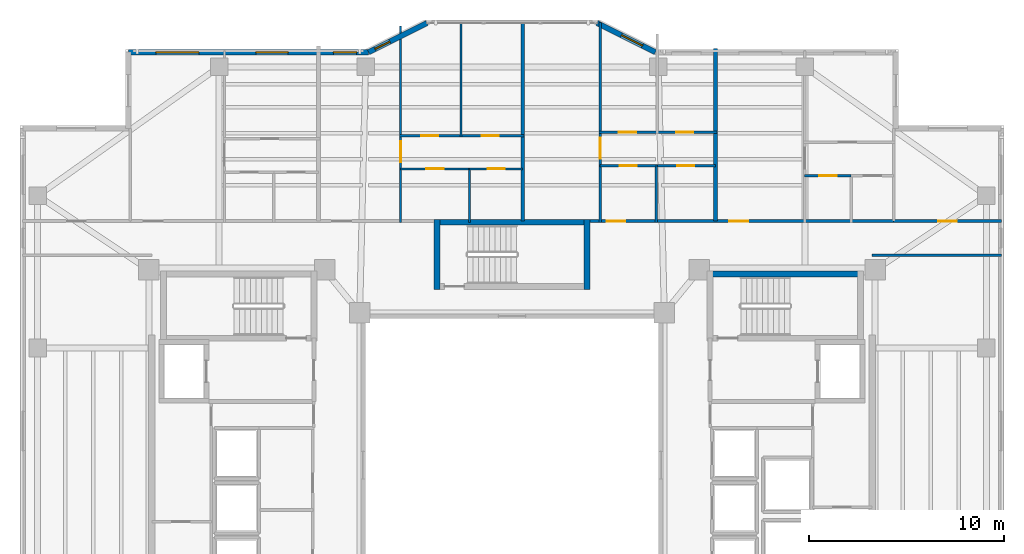
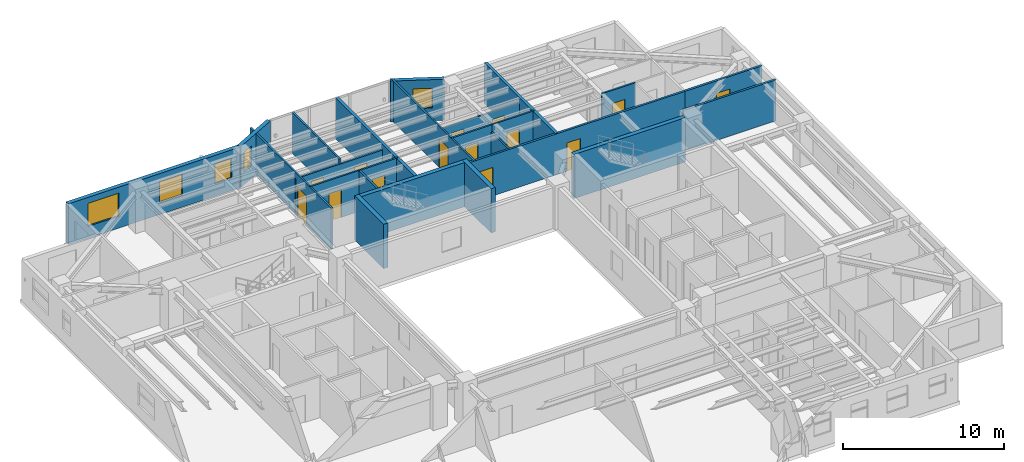
# One storey, part 10 of 16: 24 walls, 14 doors, 5 windows, 19 openings.
"""IFC4 building model written with IfcOpenShell, lengths in metres."""

from ifc_helpers import new_model, si_unit, direction, frame, frame_2d, origin, place, context, subcontext, project, spatial, rectangle, extrude, material, layer, layer_set, type_object, element, fill, save


model = new_model("IFC4")

# Units and contexts
model_context = context("Model", 3, precision=1e-05, world=origin(), true_north=direction((0.0, 1.0)))
body_context = subcontext(model_context, "Body", "Model", "MODEL_VIEW")
ifc_project = project(units=[si_unit("LENGTHUNIT", "METRE"), si_unit("AREAUNIT", "SQUARE_METRE"), si_unit("VOLUMEUNIT", "CUBIC_METRE"), si_unit("PLANEANGLEUNIT", "RADIAN"), si_unit("MASSUNIT", "GRAM", prefix="KILO")], contexts=[model_context])

# Site, building, storey
site_placement = place(None, origin())
site = spatial("IfcSite", under=ifc_project, at=site_placement, CompositionType="ELEMENT")
building_placement = place(site_placement, origin())
building = spatial("IfcBuilding", under=site, at=building_placement, Name="Tarnavaz Court Tower", CompositionType="ELEMENT")
storey_placement = place(building_placement, frame((0.0, 0.0, 152.699951171875)))
storey = spatial("IfcBuildingStorey", under=building, at=storey_placement, Name="L41", CompositionType="ELEMENT", Elevation=152.699951171875)

# Walls
ifc_material_1 = material(Name="Concrete C50/60", Category="concrete")
ifc_layer_1 = layer(ifc_material_1, 0.300048828125)
ifc_layer_set_1 = layer_set([ifc_layer_1], Name="Concrete C50/60")
wall_type_1 = type_object("IfcWallType", Name="WL-CORE-300-C50", PredefinedType="SHEAR", material=ifc_layer_set_1)
for number, where, z_axis, x_axis, name in (
    (1, (10.0, 9.7900390625, 0.0), (0.0, 0.0, 1.0), (1.0, 0.0, 0.0), "L41 East Stair Core Wall 005"),
    (2, (-4.0, 12.43994140625, 0.0), (0.0, 0.0, 1.0), (1.0, 0.0, 0.0), "L41 North Stair Core Wall 009"),
):
    element("IfcWall", number, at=place(storey_placement, frame(where, z_axis=z_axis, x_axis=x_axis)), inside=storey, type_object=wall_type_1, Name=name, PredefinedType="SHEAR", context=body_context, shape_type="SweptSolid", body=[
        extrude(rectangle(XDim=8.0, YDim=0.300048828125, at=frame_2d((4.0, 0.0))), origin(), (0.0, 0.0, 1.0), 3.35009765625),
    ])
for number, where, z_axis, x_axis, name in (
    (3, (-3.85009765625, 9.0, 0.0), (0.0, 0.0, 1.0), (0.0, 1.0, 0.0), "L41 North Stair Core Wall 011"),
    (4, (3.85009765625, 9.0, 0.0), (0.0, 0.0, 1.0), (0.0, 1.0, 0.0), "L41 North Stair Core Wall 012"),
):
    element("IfcWall", number, at=place(storey_placement, frame(where, z_axis=z_axis, x_axis=x_axis)), inside=storey, type_object=wall_type_1, Name=name, PredefinedType="SHEAR", context=body_context, shape_type="SweptSolid", body=[
        extrude(rectangle(XDim=3.590087890625, YDim=0.300048828125, at=frame_2d((1.794921875, 0.0))), origin(), (0.0, 0.0, 1.0), 3.35009765625),
    ])

# Wall, openings, windows
ifc_material_2 = material(Name="Precast Concrete C40/50", Category="concrete")
ifc_layer_2 = layer(ifc_material_2, 0.280029296875)
ifc_layer_set_2 = layer_set([ifc_layer_2], Name="Precast Concrete C40/50")
wall_type_2 = type_object("IfcWallType", Name="WL-EXT-280", PredefinedType="SOLIDWALL", material=ifc_layer_set_2)
wall_1_placement = place(storey_placement, frame((-19.64990234375, 21.14990234375, 0.0), z_axis=(0.0, 0.0, 1.0), x_axis=(1.0, 0.0, 0.0)))
wall_1 = element("IfcWall", 5, at=wall_1_placement, inside=storey, type_object=wall_type_2, Name="L41 Exterior Terracotta Facade Wall 05", PredefinedType="SOLIDWALL", context=body_context, shape_type="SweptSolid", body=[
    extrude(rectangle(XDim=12.2998046875, YDim=0.280029296875, at=frame_2d((6.14990234375, 0.0))), origin(), (0.0, 0.0, 1.0), 3.10009765625),
])
opening_1_placement = place(wall_1_placement, frame((1.41015625, 0.0, 0.89990234375)))
opening_1 = element("IfcOpeningElement", 6, at=opening_1_placement, cuts=wall_1, Name="Opening W07", PredefinedType="OPENING", context=body_context, shape_type="SweptSolid", body=[
    extrude(rectangle(XDim=2.199951171875, YDim=1.75, at=frame_2d((1.10009765625, 0.875))), frame((0.0, 0.14990234375, 0.0), z_axis=(0.0, -1.0, 0.0), x_axis=(1.0, 0.0, 0.0)), (0.0, 0.0, 1.0), 0.300048828125),
])
opening_2_placement = place(wall_1_placement, frame((6.52978515625, 0.0, 0.89990234375)))
opening_2 = element("IfcOpeningElement", 7, at=opening_2_placement, cuts=wall_1, Name="Opening W02", PredefinedType="OPENING", context=body_context, shape_type="SweptSolid", body=[
    extrude(rectangle(XDim=1.64990234375, YDim=1.60009765625, at=frame_2d((0.824951171875, 0.800048828125))), frame((0.0, 0.14990234375, 0.0), z_axis=(0.0, -1.0, 0.0), x_axis=(1.0, 0.0, 0.0)), (0.0, 0.0, 1.0), 0.300048828125),
])
opening_3_placement = place(wall_1_placement, frame((10.4951171875, 0.0, 0.949951171875)))
opening_3 = element("IfcOpeningElement", 8, at=opening_3_placement, cuts=wall_1, Name="Opening W05", PredefinedType="OPENING", context=body_context, shape_type="SweptSolid", body=[
    extrude(rectangle(XDim=1.199951171875, YDim=1.5, at=frame_2d((0.60009765625, 0.75))), frame((0.0, 0.14990234375, 0.0), z_axis=(0.0, -1.0, 0.0), x_axis=(1.0, 0.0, 0.0)), (0.0, 0.0, 1.0), 0.300048828125),
])
ifc_material_3 = material(Name="Double-Glazed Solar Low-E Glass", Category="glass")
window_type_1 = type_object("IfcWindowType", Name="WN-APT-1200", PartitioningType="SINGLE_PANEL", PredefinedType="WINDOW", material=ifc_material_3)
window_1_placement = place(opening_3_placement, origin())
window_1 = element("IfcWindow", 9, at=window_1_placement, inside=storey, type_object=window_type_1, Name="L41 Flat 02 Living and Dining Room Window", OverallHeight=1.5, OverallWidth=1.199951171875, PartitioningType="SINGLE_PANEL", PredefinedType="WINDOW", context=body_context, shape_type="SweptSolid", body=[
    extrude(rectangle(XDim=1.199951171875, YDim=1.5, at=frame_2d((0.60009765625, 0.75))), frame((0.0, 0.030029296875, 0.0), z_axis=(0.0, -1.0, 0.0), x_axis=(1.0, 0.0, 0.0)), (0.0, 0.0, 1.0), 0.06005859375),
])
fill(opening_3, window_1)
window_type_2 = type_object("IfcWindowType", Name="WN-APT-1650", PartitioningType="DOUBLE_PANEL_VERTICAL", PredefinedType="WINDOW", material=ifc_material_3)
window_2_placement = place(opening_2_placement, origin())
window_2 = element("IfcWindow", 10, at=window_2_placement, inside=storey, type_object=window_type_2, Name="L41 Flat 01 Bedroom 1 Window", OverallHeight=1.60009765625, OverallWidth=1.64990234375, PartitioningType="SINGLE_PANEL", PredefinedType="WINDOW", context=body_context, shape_type="SweptSolid", body=[
    extrude(rectangle(XDim=1.64990234375, YDim=1.60009765625, at=frame_2d((0.824951171875, 0.800048828125))), frame((0.0, 0.030029296875, 0.0), z_axis=(0.0, -1.0, 0.0), x_axis=(1.0, 0.0, 0.0)), (0.0, 0.0, 1.0), 0.06005859375),
])
fill(opening_2, window_2)
window_type_3 = type_object("IfcWindowType", Name="WN-APT-2200", PartitioningType="TRIPLE_PANEL_VERTICAL", PredefinedType="WINDOW", material=ifc_material_3)
window_3_placement = place(opening_1_placement, origin())
window_3 = element("IfcWindow", 11, at=window_3_placement, inside=storey, type_object=window_type_3, Name="L41 Flat 01 Living and Dining Room Window", OverallHeight=1.75, OverallWidth=2.199951171875, PartitioningType="SINGLE_PANEL", PredefinedType="WINDOW", context=body_context, shape_type="SweptSolid", body=[
    extrude(rectangle(XDim=2.199951171875, YDim=1.75, at=frame_2d((1.10009765625, 0.875))), frame((0.0, 0.030029296875, 0.0), z_axis=(0.0, -1.0, 0.0), x_axis=(1.0, 0.0, 0.0)), (0.0, 0.0, 1.0), 0.06005859375),
])
fill(opening_1, window_3)

# Wall, opening, window
wall_2_placement = place(storey_placement, frame((-7.35009765625, 21.14990234375, 0.0), z_axis=(0.0, 0.0, 1.0), x_axis=(0.894427191, 0.4472135955, 0.0)))
wall_2 = element("IfcWall", 12, at=wall_2_placement, inside=storey, type_object=wall_type_2, Name="L41 Exterior Terracotta Facade Wall 06", PredefinedType="SOLIDWALL", context=body_context, shape_type="SweptSolid", body=[
    extrude(rectangle(XDim=3.35400390625, YDim=0.280029296875, at=frame_2d((1.677001953125, 0.0))), origin(), (0.0, 0.0, 1.0), 3.10009765625),
])
opening_4_placement = place(wall_2_placement, frame((0.370849609375, 0.0, 0.949951171875)))
opening_4 = element("IfcOpeningElement", 13, at=opening_4_placement, cuts=wall_2, Name="Opening W15", PredefinedType="OPENING", context=body_context, shape_type="SweptSolid", body=[
    extrude(rectangle(XDim=0.85009765625, YDim=1.5, at=frame_2d((0.425048828125, 0.75))), frame((0.0, 0.14990234375, 0.0), z_axis=(0.0, -1.0, 0.0), x_axis=(1.0, 0.0, 0.0)), (0.0, 0.0, 1.0), 0.300048828125),
])
window_type_4 = type_object("IfcWindowType", Name="WN-APT-850", PartitioningType="SINGLE_PANEL", PredefinedType="WINDOW", material=ifc_material_3)
window_4_placement = place(opening_4_placement, origin())
window_4 = element("IfcWindow", 14, at=window_4_placement, inside=storey, type_object=window_type_4, Name="L41 Flat 02 Living and Dining Room Window", OverallHeight=1.5, OverallWidth=0.85009765625, PartitioningType="SINGLE_PANEL", PredefinedType="WINDOW", context=body_context, shape_type="SweptSolid", body=[
    extrude(rectangle(XDim=0.85009765625, YDim=1.5, at=frame_2d((0.425048828125, 0.75))), frame((0.0, 0.030029296875, 0.0), z_axis=(0.0, -1.0, 0.0), x_axis=(1.0, 0.0, 0.0)), (0.0, 0.0, 1.0), 0.06005859375),
])
fill(opening_4, window_4)

wall_3_placement = place(storey_placement, frame((4.35009765625, 22.64990234375, 0.0), z_axis=(0.0, 0.0, 1.0), x_axis=(0.894427191, -0.4472135955, 0.0)))
wall_3 = element("IfcWall", 15, at=wall_3_placement, inside=storey, type_object=wall_type_2, Name="L41 Exterior Terracotta Facade Wall 08", PredefinedType="SOLIDWALL", context=body_context, shape_type="SweptSolid", body=[
    extrude(rectangle(XDim=3.35400390625, YDim=0.280029296875, at=frame_2d((1.677001953125, 0.0))), origin(), (0.0, 0.0, 1.0), 3.10009765625),
])
opening_5_placement = place(wall_3_placement, frame((1.407470703125, 0.0, 0.949951171875)))
opening_5 = element("IfcOpeningElement", 16, at=opening_5_placement, cuts=wall_3, Name="Opening W05", PredefinedType="OPENING", context=body_context, shape_type="SweptSolid", body=[
    extrude(rectangle(XDim=1.199951171875, YDim=1.5, at=frame_2d((0.60009765625, 0.75))), frame((0.0, 0.14990234375, 0.0), z_axis=(0.0, -1.0, 0.0), x_axis=(1.0, 0.0, 0.0)), (0.0, 0.0, 1.0), 0.300048828125),
])
window_5_placement = place(opening_5_placement, origin())
window_5 = element("IfcWindow", 17, at=window_5_placement, inside=storey, type_object=window_type_1, Name="L41 Flat 03 Principal Bedroom Window", OverallHeight=1.5, OverallWidth=1.199951171875, PartitioningType="SINGLE_PANEL", PredefinedType="WINDOW", context=body_context, shape_type="SweptSolid", body=[
    extrude(rectangle(XDim=1.199951171875, YDim=1.5, at=frame_2d((0.60009765625, 0.75))), frame((0.0, 0.030029296875, 0.0), z_axis=(0.0, -1.0, 0.0), x_axis=(1.0, 0.0, 0.0)), (0.0, 0.0, 1.0), 0.06005859375),
])
fill(opening_5, window_5)

# Wall, openings, doors
ifc_material_4 = material(Name="Gypsum Fire-Board on Acoustic Metal Stud", Category="masonry")
ifc_layer_3 = layer(ifc_material_4, 0.14990234375)
ifc_layer_set_3 = layer_set([ifc_layer_3], Name="Gypsum Fire-Board on Acoustic Metal Stud")
wall_type_3 = type_object("IfcWallType", Name="WL-FIRE-150", PredefinedType="PARTITIONING", material=ifc_layer_set_3)
wall_4_placement = place(storey_placement, frame((3.85009765625, 12.5, 0.0), z_axis=(0.0, 0.0, 1.0), x_axis=(1.0, 0.0, 0.0)))
wall_4 = element("IfcWall", 18, at=wall_4_placement, inside=storey, type_object=wall_type_3, Name="L41 NE Wing Corridor Wall 072", PredefinedType="PARTITIONING", context=body_context, shape_type="SweptSolid", body=[
    extrude(rectangle(XDim=15.699951171875, YDim=0.14990234375, at=frame_2d((7.85009765625, 0.0))), origin(), (0.0, 0.0, 1.0), 3.10009765625),
])
opening_6_placement = place(wall_4_placement, frame((1.0, 0.0, 0.0)))
opening_6 = element("IfcOpeningElement", 19, at=opening_6_placement, cuts=wall_4, Name="Opening D06", PredefinedType="OPENING", context=body_context, shape_type="SweptSolid", body=[
    extrude(rectangle(XDim=0.9599609375, YDim=2.14990234375, at=frame_2d((0.47998046875, 1.074951171875))), frame((0.0, 0.0849609375, 0.0), z_axis=(0.0, -1.0, 0.0), x_axis=(1.0, 0.0, 0.0)), (0.0, 0.0, 1.0), 0.169921875),
])
opening_7_placement = place(wall_4_placement, frame((7.280029296875, 0.0, 0.0)))
opening_7 = element("IfcOpeningElement", 20, at=opening_7_placement, cuts=wall_4, Name="Opening D06", PredefinedType="OPENING", context=body_context, shape_type="SweptSolid", body=[
    extrude(rectangle(XDim=0.9599609375, YDim=2.14990234375, at=frame_2d((0.47998046875, 1.074951171875))), frame((0.0, 0.0849609375, 0.0), z_axis=(0.0, -1.0, 0.0), x_axis=(1.0, 0.0, 0.0)), (0.0, 0.0, 1.0), 0.169921875),
])
ifc_material_5 = material(Name="Fire-Rated Hardwood Timber Core", Category="wood")
door_type_1 = type_object("IfcDoorType", Name="DR-FD60-950", OperationType="NOTDEFINED", PredefinedType="DOOR", material=ifc_material_5)
door_1_placement = place(opening_6_placement, origin())
door_1 = element("IfcDoor", 21, at=door_1_placement, inside=storey, type_object=door_type_1, Name="L41 Flat 03 Entrance Door", OperationType="SINGLE_SWING_RIGHT", OverallHeight=2.14990234375, OverallWidth=0.9599609375, PredefinedType="DOOR", context=body_context, shape_type="SweptSolid", body=[
    extrude(rectangle(XDim=0.9599609375, YDim=2.14990234375, at=frame_2d((0.47998046875, 1.074951171875))), frame((0.0, 0.02490234375, 0.0), z_axis=(0.0, -1.0, 0.0), x_axis=(1.0, 0.0, 0.0)), (0.0, 0.0, 1.0), 0.050048828125),
])
fill(opening_6, door_1)
door_2_placement = place(opening_7_placement, origin())
door_2 = element("IfcDoor", 22, at=door_2_placement, inside=storey, type_object=door_type_1, Name="L41 Flat 04 Entrance Door", OperationType="SINGLE_SWING_RIGHT", OverallHeight=2.14990234375, OverallWidth=0.9599609375, PredefinedType="DOOR", context=body_context, shape_type="SweptSolid", body=[
    extrude(rectangle(XDim=0.9599609375, YDim=2.14990234375, at=frame_2d((0.47998046875, 1.074951171875))), frame((0.0, 0.02490234375, 0.0), z_axis=(0.0, -1.0, 0.0), x_axis=(1.0, 0.0, 0.0)), (0.0, 0.0, 1.0), 0.050048828125),
])
fill(opening_7, door_2)

# Wall
wall_5_placement = place(storey_placement, frame((18.449951171875, 10.75, 0.0), z_axis=(0.0, 0.0, 1.0), x_axis=(1.0, 0.0, 0.0)))
element("IfcWall", 23, at=wall_5_placement, inside=storey, type_object=wall_type_3, Name="L41 Interior Partition 121", PredefinedType="PARTITIONING", context=body_context, shape_type="SweptSolid", body=[
    extrude(rectangle(XDim=6.630126953125, YDim=0.14990234375, at=frame_2d((3.31494140625, 0.0))), origin(), (0.0, 0.0, 1.0), 3.10009765625),
])

# Wall, opening, door
wall_6_placement = place(storey_placement, frame((19.550048828125, 12.5, 0.0), z_axis=(0.0, 0.0, 1.0), x_axis=(1.0, 0.0, 0.0)))
wall_6 = element("IfcWall", 24, at=wall_6_placement, inside=storey, type_object=wall_type_3, Name="L41 Interior Partition 127", PredefinedType="PARTITIONING", context=body_context, shape_type="SweptSolid", body=[
    extrude(rectangle(XDim=5.530029296875, YDim=0.14990234375, at=frame_2d((2.76513671875, 0.0))), origin(), (0.0, 0.0, 1.0), 3.10009765625),
])
opening_8_placement = place(wall_6_placement, frame((2.2900390625, 0.0, 0.0)))
opening_8 = element("IfcOpeningElement", 25, at=opening_8_placement, cuts=wall_6, Name="Opening D13", PredefinedType="OPENING", context=body_context, shape_type="SweptSolid", body=[
    extrude(rectangle(XDim=0.949951171875, YDim=2.14990234375, at=frame_2d((0.47509765625, 1.074951171875))), frame((0.0, 0.0849609375, 0.0), z_axis=(0.0, -1.0, 0.0), x_axis=(1.0, 0.0, 0.0)), (0.0, 0.0, 1.0), 0.169921875),
])
ifc_material_6 = material(Name="Engineered Oak Timber", Category="wood")
door_type_2 = type_object("IfcDoorType", Name="DR-INT-950", OperationType="NOTDEFINED", PredefinedType="DOOR", material=ifc_material_6)
door_3_placement = place(opening_8_placement, origin())
door_3 = element("IfcDoor", 26, at=door_3_placement, inside=storey, type_object=door_type_2, Name="L41 NE Sunroom Door", OperationType="SINGLE_SWING_RIGHT", OverallHeight=2.14990234375, OverallWidth=0.949951171875, PredefinedType="DOOR", context=body_context, shape_type="SweptSolid", body=[
    extrude(rectangle(XDim=0.949951171875, YDim=2.14990234375, at=frame_2d((0.47509765625, 1.074951171875))), frame((0.0, 0.02490234375, 0.0), z_axis=(0.0, -1.0, 0.0), x_axis=(1.0, 0.0, 0.0)), (0.0, 0.0, 1.0), 0.050048828125),
])
fill(opening_8, door_3)

# Walls
ifc_material_7 = material(Name="Autoclaved Aerated Concrete Blockwork", Category="masonry")
ifc_layer_4 = layer(ifc_material_7, 0.199951171875)
ifc_layer_set_4 = layer_set([ifc_layer_4], Name="Autoclaved Aerated Concrete Blockwork")
wall_type_4 = type_object("IfcWallType", Name="WL-FIRE-200", PredefinedType="SOLIDWALL", material=ifc_layer_set_4)
wall_7_placement = place(storey_placement, frame((0.550048828125, 12.5, 0.0), z_axis=(0.0, 0.0, 1.0), x_axis=(0.0, 1.0, 0.0)))
element("IfcWall", 27, at=wall_7_placement, inside=storey, type_object=wall_type_4, Name="L41 North Center Party Wall 075", PredefinedType="SOLIDWALL", context=body_context, shape_type="SweptSolid", body=[
    extrude(rectangle(XDim=10.179931640625, YDim=0.199951171875, at=frame_2d((5.08984375, 0.0))), origin(), (0.0, 0.0, 1.0), 3.10009765625),
])
wall_8_placement = place(storey_placement, frame((10.429931640625, 12.5, 0.0), z_axis=(0.0, 0.0, 1.0), x_axis=(0.0, 1.0, 0.0)))
element("IfcWall", 28, at=wall_8_placement, inside=storey, type_object=wall_type_4, Name="L41 Party Wall 088", PredefinedType="SOLIDWALL", context=body_context, shape_type="SweptSolid", body=[
    extrude(rectangle(XDim=8.841064453125, YDim=0.199951171875, at=frame_2d((4.42041015625, 0.0))), origin(), (0.0, 0.0, 1.0), 3.10009765625),
])

# Wall, opening, door
ifc_material_8 = material(Name="Moisture-Resistant Gypsum Board Partition", Category="masonry")
ifc_layer_5 = layer(ifc_material_8, 0.1201171875)
ifc_layer_set_5 = layer_set([ifc_layer_5], Name="Moisture-Resistant Gypsum Board Partition")
wall_type_5 = type_object("IfcWallType", Name="WL-PART-120", PredefinedType="PARTITIONING", material=ifc_layer_set_5)
wall_9_placement = place(storey_placement, frame((-5.708984375, 12.43994140625, 0.0), z_axis=(0.0, 0.0, 1.0), x_axis=(0.0, 1.0, 0.0)))
wall_9 = element("IfcWall", 29, at=wall_9_placement, inside=storey, type_object=wall_type_5, Name="L41 Interior Partition 082", PredefinedType="PARTITIONING", context=body_context, shape_type="SweptSolid", body=[
    extrude(rectangle(XDim=10.06494140625, YDim=0.1201171875, at=frame_2d((5.032470703125, 0.0))), origin(), (0.0, 0.0, 1.0), 3.10009765625),
])
opening_9_placement = place(wall_9_placement, frame((3.074951171875, 0.0, 0.0)))
opening_9 = element("IfcOpeningElement", 30, at=opening_9_placement, cuts=wall_9, Name="Opening D12", PredefinedType="OPENING", context=body_context, shape_type="SweptSolid", body=[
    extrude(rectangle(XDim=1.080078125, YDim=2.14990234375, at=frame_2d((0.5400390625, 1.074951171875))), frame((0.0, 0.070068359375, 0.0), z_axis=(0.0, -1.0, 0.0), x_axis=(1.0, 0.0, 0.0)), (0.0, 0.0, 1.0), 0.14013671875),
])
door_type_3 = type_object("IfcDoorType", Name="DR-INT-1100", OperationType="NOTDEFINED", PredefinedType="DOOR", material=ifc_material_6)
door_4_placement = place(opening_9_placement, origin())
door_4 = element("IfcDoor", 31, at=door_4_placement, inside=storey, type_object=door_type_3, Name="L41 Flat 02 Foyer Door", OperationType="SINGLE_SWING_LEFT", OverallHeight=2.14990234375, OverallWidth=1.080078125, PredefinedType="DOOR", context=body_context, shape_type="SweptSolid", body=[
    extrude(rectangle(XDim=1.080078125, YDim=2.14990234375, at=frame_2d((0.5400390625, 1.074951171875))), frame((0.0, 0.02490234375, 0.0), z_axis=(0.0, -1.0, 0.0), x_axis=(1.0, 0.0, 0.0)), (0.0, 0.0, 1.0), 0.050048828125),
])
fill(opening_9, door_4)

wall_10_placement = place(storey_placement, frame((-5.708984375, 15.169921875, 0.0), z_axis=(0.0, 0.0, 1.0), x_axis=(1.0, 0.0, 0.0)))
wall_10 = element("IfcWall", 32, at=wall_10_placement, inside=storey, type_object=wall_type_5, Name="L41 Interior Partition 083", PredefinedType="PARTITIONING", context=body_context, shape_type="SweptSolid", body=[
    extrude(rectangle(XDim=3.532958984375, YDim=0.1201171875, at=frame_2d((1.7666015625, 0.0))), origin(), (0.0, 0.0, 1.0), 3.10009765625),
])
opening_10_placement = place(wall_10_placement, frame((1.325927734375, 0.0, 0.0)))
opening_10 = element("IfcOpeningElement", 33, at=opening_10_placement, cuts=wall_10, Name="Opening D14", PredefinedType="OPENING", context=body_context, shape_type="SweptSolid", body=[
    extrude(rectangle(XDim=0.8798828125, YDim=2.10009765625, at=frame_2d((0.43994140625, 1.050048828125))), frame((0.0, 0.070068359375, 0.0), z_axis=(0.0, -1.0, 0.0), x_axis=(1.0, 0.0, 0.0)), (0.0, 0.0, 1.0), 0.14013671875),
])
door_type_4 = type_object("IfcDoorType", Name="DR-INT-900", OperationType="NOTDEFINED", PredefinedType="DOOR", material=ifc_material_6)
door_5_placement = place(opening_10_placement, origin())
door_5 = element("IfcDoor", 34, at=door_5_placement, inside=storey, type_object=door_type_4, Name="L41 Flat 02 Kitchen Door", OperationType="SINGLE_SWING_RIGHT", OverallHeight=2.10009765625, OverallWidth=0.8798828125, PredefinedType="DOOR", context=body_context, shape_type="SweptSolid", body=[
    extrude(rectangle(XDim=0.8798828125, YDim=2.10009765625, at=frame_2d((0.43994140625, 1.050048828125))), frame((0.0, 0.02490234375, 0.0), z_axis=(0.0, -1.0, 0.0), x_axis=(1.0, 0.0, 0.0)), (0.0, 0.0, 1.0), 0.050048828125),
])
fill(opening_10, door_5)

wall_11_placement = place(storey_placement, frame((-2.176025390625, 15.169921875, 0.0), z_axis=(0.0, 0.0, 1.0), x_axis=(1.0, 0.0, 0.0)))
wall_11 = element("IfcWall", 35, at=wall_11_placement, inside=storey, type_object=wall_type_5, Name="L41 Interior Partition 084", PredefinedType="PARTITIONING", context=body_context, shape_type="SweptSolid", body=[
    extrude(rectangle(XDim=2.72607421875, YDim=0.1201171875, at=frame_2d((1.363037109375, 0.0))), origin(), (0.0, 0.0, 1.0), 3.10009765625),
])
opening_11_placement = place(wall_11_placement, frame((0.923095703125, 0.0, 0.0)))
opening_11 = element("IfcOpeningElement", 36, at=opening_11_placement, cuts=wall_11, Name="Opening D14", PredefinedType="OPENING", context=body_context, shape_type="SweptSolid", body=[
    extrude(rectangle(XDim=0.8798828125, YDim=2.10009765625, at=frame_2d((0.43994140625, 1.050048828125))), frame((0.0, 0.070068359375, 0.0), z_axis=(0.0, -1.0, 0.0), x_axis=(1.0, 0.0, 0.0)), (0.0, 0.0, 1.0), 0.14013671875),
])
door_6_placement = place(opening_11_placement, origin())
door_6 = element("IfcDoor", 37, at=door_6_placement, inside=storey, type_object=door_type_4, Name="L41 Flat 02 Bathroom Door", OperationType="SINGLE_SWING_LEFT", OverallHeight=2.10009765625, OverallWidth=0.8798828125, PredefinedType="DOOR", context=body_context, shape_type="SweptSolid", body=[
    extrude(rectangle(XDim=0.8798828125, YDim=2.10009765625, at=frame_2d((0.43994140625, 1.050048828125))), frame((0.0, 0.02490234375, 0.0), z_axis=(0.0, -1.0, 0.0), x_axis=(1.0, 0.0, 0.0)), (0.0, 0.0, 1.0), 0.050048828125),
])
fill(opening_11, door_6)

# Wall, openings, doors
wall_12_placement = place(storey_placement, frame((-5.76904296875, 16.8798828125, 0.0), z_axis=(0.0, 0.0, 1.0), x_axis=(1.0, 0.0, 0.0)))
wall_12 = element("IfcWall", 38, at=wall_12_placement, inside=storey, type_object=wall_type_5, Name="L41 Interior Partition 085", PredefinedType="PARTITIONING", context=body_context, shape_type="SweptSolid", body=[
    extrude(rectangle(XDim=6.379150390625, YDim=0.1201171875, at=frame_2d((3.189453125, 0.0))), origin(), (0.0, 0.0, 1.0), 2.68505859375),
])
opening_12_placement = place(wall_12_placement, frame((1.110107421875, 0.0, 0.0)))
opening_12 = element("IfcOpeningElement", 39, at=opening_12_placement, cuts=wall_12, Name="Opening D14", PredefinedType="OPENING", context=body_context, shape_type="SweptSolid", body=[
    extrude(rectangle(XDim=0.8798828125, YDim=2.10009765625, at=frame_2d((0.43994140625, 1.050048828125))), frame((0.0, 0.070068359375, 0.0), z_axis=(0.0, -1.0, 0.0), x_axis=(1.0, 0.0, 0.0)), (0.0, 0.0, 1.0), 0.14013671875),
])
opening_13_placement = place(wall_12_placement, frame((4.208984375, 0.0, 0.0)))
opening_13 = element("IfcOpeningElement", 40, at=opening_13_placement, cuts=wall_12, Name="Opening D14", PredefinedType="OPENING", context=body_context, shape_type="SweptSolid", body=[
    extrude(rectangle(XDim=0.8798828125, YDim=2.10009765625, at=frame_2d((0.43994140625, 1.050048828125))), frame((0.0, 0.070068359375, 0.0), z_axis=(0.0, -1.0, 0.0), x_axis=(1.0, 0.0, 0.0)), (0.0, 0.0, 1.0), 0.14013671875),
])
door_7_placement = place(opening_12_placement, origin())
door_7 = element("IfcDoor", 41, at=door_7_placement, inside=storey, type_object=door_type_4, Name="L41 Flat 02 Bedroom 1 Door", OperationType="SINGLE_SWING_RIGHT", OverallHeight=2.10009765625, OverallWidth=0.8798828125, PredefinedType="DOOR", context=body_context, shape_type="SweptSolid", body=[
    extrude(rectangle(XDim=0.8798828125, YDim=2.10009765625, at=frame_2d((0.43994140625, 1.050048828125))), frame((0.0, 0.02490234375, 0.0), z_axis=(0.0, -1.0, 0.0), x_axis=(1.0, 0.0, 0.0)), (0.0, 0.0, 1.0), 0.050048828125),
])
fill(opening_12, door_7)
door_8_placement = place(opening_13_placement, origin())
door_8 = element("IfcDoor", 42, at=door_8_placement, inside=storey, type_object=door_type_4, Name="L41 Flat 02 Bedroom 2 Door", OperationType="SINGLE_SWING_LEFT", OverallHeight=2.10009765625, OverallWidth=0.8798828125, PredefinedType="DOOR", context=body_context, shape_type="SweptSolid", body=[
    extrude(rectangle(XDim=0.8798828125, YDim=2.10009765625, at=frame_2d((0.43994140625, 1.050048828125))), frame((0.0, 0.02490234375, 0.0), z_axis=(0.0, -1.0, 0.0), x_axis=(1.0, 0.0, 0.0)), (0.0, 0.0, 1.0), 0.050048828125),
])
fill(opening_13, door_8)

# Walls
wall_13_placement = place(storey_placement, frame((-2.176025390625, 12.43994140625, 0.0), z_axis=(0.0, 0.0, 1.0), x_axis=(0.0, 1.0, 0.0)))
element("IfcWall", 43, at=wall_13_placement, inside=storey, type_object=wall_type_5, Name="L41 Interior Partition 086", PredefinedType="PARTITIONING", context=body_context, shape_type="SweptSolid", body=[
    extrude(rectangle(XDim=2.7900390625, YDim=0.1201171875, at=frame_2d((1.39501953125, 0.0))), origin(), (0.0, 0.0, 1.0), 3.10009765625),
])
wall_14_placement = place(storey_placement, frame((-2.60888671875, 16.820068359375, 0.0), z_axis=(0.0, 0.0, 1.0), x_axis=(0.0, 1.0, 0.0)))
element("IfcWall", 44, at=wall_14_placement, inside=storey, type_object=wall_type_5, Name="L41 Interior Partition 087", PredefinedType="PARTITIONING", context=body_context, shape_type="SweptSolid", body=[
    extrude(rectangle(XDim=5.85986328125, YDim=0.1201171875, at=frame_2d((2.929931640625, 0.0))), origin(), (0.0, 0.0, 1.0), 3.10009765625),
])

# Wall, opening, door
wall_15_placement = place(storey_placement, frame((4.513916015625, 12.43994140625, 0.0), z_axis=(0.0, 0.0, 1.0), x_axis=(0.0, 1.0, 0.0)))
wall_15 = element("IfcWall", 45, at=wall_15_placement, inside=storey, type_object=wall_type_5, Name="L41 Interior Partition 089", PredefinedType="PARTITIONING", context=body_context, shape_type="SweptSolid", body=[
    extrude(rectangle(XDim=10.239990234375, YDim=0.1201171875, at=frame_2d((5.1201171875, 0.0))), origin(), (0.0, 0.0, 1.0), 3.10009765625),
])
opening_14_placement = place(wall_15_placement, frame((3.2451171875, 0.0, 0.0)))
opening_14 = element("IfcOpeningElement", 46, at=opening_14_placement, cuts=wall_15, Name="Opening D12", PredefinedType="OPENING", context=body_context, shape_type="SweptSolid", body=[
    extrude(rectangle(XDim=1.080078125, YDim=2.14990234375, at=frame_2d((0.5400390625, 1.074951171875))), frame((0.0, 0.070068359375, 0.0), z_axis=(0.0, -1.0, 0.0), x_axis=(1.0, 0.0, 0.0)), (0.0, 0.0, 1.0), 0.14013671875),
])
door_9_placement = place(opening_14_placement, origin())
door_9 = element("IfcDoor", 47, at=door_9_placement, inside=storey, type_object=door_type_3, Name="L41 Flat 03 Foyer Door", OperationType="SINGLE_SWING_LEFT", OverallHeight=2.14990234375, OverallWidth=1.080078125, PredefinedType="DOOR", context=body_context, shape_type="SweptSolid", body=[
    extrude(rectangle(XDim=1.080078125, YDim=2.14990234375, at=frame_2d((0.5400390625, 1.074951171875))), frame((0.0, 0.02490234375, 0.0), z_axis=(0.0, -1.0, 0.0), x_axis=(1.0, 0.0, 0.0)), (0.0, 0.0, 1.0), 0.050048828125),
])
fill(opening_14, door_9)

wall_16_placement = place(storey_placement, frame((4.513916015625, 15.340087890625, 0.0), z_axis=(0.0, 0.0, 1.0), x_axis=(1.0, 0.0, 0.0)))
wall_16 = element("IfcWall", 48, at=wall_16_placement, inside=storey, type_object=wall_type_5, Name="L41 Interior Partition 090", PredefinedType="PARTITIONING", context=body_context, shape_type="SweptSolid", body=[
    extrude(rectangle(XDim=2.869140625, YDim=0.1201171875, at=frame_2d((1.4345703125, 0.0))), origin(), (0.0, 0.0, 1.0), 3.10009765625),
])
opening_15_placement = place(wall_16_placement, frame((0.993896484375, 0.0, 0.0)))
opening_15 = element("IfcOpeningElement", 49, at=opening_15_placement, cuts=wall_16, Name="Opening D14", PredefinedType="OPENING", context=body_context, shape_type="SweptSolid", body=[
    extrude(rectangle(XDim=0.8798828125, YDim=2.10009765625, at=frame_2d((0.43994140625, 1.050048828125))), frame((0.0, 0.070068359375, 0.0), z_axis=(0.0, -1.0, 0.0), x_axis=(1.0, 0.0, 0.0)), (0.0, 0.0, 1.0), 0.14013671875),
])
door_10_placement = place(opening_15_placement, origin())
door_10 = element("IfcDoor", 50, at=door_10_placement, inside=storey, type_object=door_type_4, Name="L41 Flat 03 Kitchen Door", OperationType="SINGLE_SWING_RIGHT", OverallHeight=2.10009765625, OverallWidth=0.8798828125, PredefinedType="DOOR", context=body_context, shape_type="SweptSolid", body=[
    extrude(rectangle(XDim=0.8798828125, YDim=2.10009765625, at=frame_2d((0.43994140625, 1.050048828125))), frame((0.0, 0.02490234375, 0.0), z_axis=(0.0, -1.0, 0.0), x_axis=(1.0, 0.0, 0.0)), (0.0, 0.0, 1.0), 0.050048828125),
])
fill(opening_15, door_10)

wall_17_placement = place(storey_placement, frame((7.383056640625, 15.340087890625, 0.0), z_axis=(0.0, 0.0, 1.0), x_axis=(1.0, 0.0, 0.0)))
wall_17 = element("IfcWall", 51, at=wall_17_placement, inside=storey, type_object=wall_type_5, Name="L41 Interior Partition 091", PredefinedType="PARTITIONING", context=body_context, shape_type="SweptSolid", body=[
    extrude(rectangle(XDim=3.046875, YDim=0.1201171875, at=frame_2d((1.5234375, 0.0))), origin(), (0.0, 0.0, 1.0), 3.10009765625),
])
opening_16_placement = place(wall_17_placement, frame((1.0830078125, 0.0, 0.0)))
opening_16 = element("IfcOpeningElement", 52, at=opening_16_placement, cuts=wall_17, Name="Opening D14", PredefinedType="OPENING", context=body_context, shape_type="SweptSolid", body=[
    extrude(rectangle(XDim=0.8798828125, YDim=2.10009765625, at=frame_2d((0.43994140625, 1.050048828125))), frame((0.0, 0.070068359375, 0.0), z_axis=(0.0, -1.0, 0.0), x_axis=(1.0, 0.0, 0.0)), (0.0, 0.0, 1.0), 0.14013671875),
])
door_11_placement = place(opening_16_placement, origin())
door_11 = element("IfcDoor", 53, at=door_11_placement, inside=storey, type_object=door_type_4, Name="L41 Flat 03 Bathroom Door", OperationType="SINGLE_SWING_LEFT", OverallHeight=2.10009765625, OverallWidth=0.8798828125, PredefinedType="DOOR", context=body_context, shape_type="SweptSolid", body=[
    extrude(rectangle(XDim=0.8798828125, YDim=2.10009765625, at=frame_2d((0.43994140625, 1.050048828125))), frame((0.0, 0.02490234375, 0.0), z_axis=(0.0, -1.0, 0.0), x_axis=(1.0, 0.0, 0.0)), (0.0, 0.0, 1.0), 0.050048828125),
])
fill(opening_16, door_11)

# Wall, openings, doors
wall_18_placement = place(storey_placement, frame((4.4541015625, 17.050048828125, 0.0), z_axis=(0.0, 0.0, 1.0), x_axis=(1.0, 0.0, 0.0)))
wall_18 = element("IfcWall", 54, at=wall_18_placement, inside=storey, type_object=wall_type_5, Name="L41 Interior Partition 092", PredefinedType="PARTITIONING", context=body_context, shape_type="SweptSolid", body=[
    extrude(rectangle(XDim=6.035888671875, YDim=0.1201171875, at=frame_2d((3.01806640625, 0.0))), origin(), (0.0, 0.0, 1.0), 2.68505859375),
])
opening_17_placement = place(wall_18_placement, frame((1.02392578125, 0.0, 0.0)))
opening_17 = element("IfcOpeningElement", 55, at=opening_17_placement, cuts=wall_18, Name="Opening D14", PredefinedType="OPENING", context=body_context, shape_type="SweptSolid", body=[
    extrude(rectangle(XDim=0.8798828125, YDim=2.10009765625, at=frame_2d((0.43994140625, 1.050048828125))), frame((0.0, 0.070068359375, 0.0), z_axis=(0.0, -1.0, 0.0), x_axis=(1.0, 0.0, 0.0)), (0.0, 0.0, 1.0), 0.14013671875),
])
opening_18_placement = place(wall_18_placement, frame((3.951904296875, 0.0, 0.0)))
opening_18 = element("IfcOpeningElement", 56, at=opening_18_placement, cuts=wall_18, Name="Opening D14", PredefinedType="OPENING", context=body_context, shape_type="SweptSolid", body=[
    extrude(rectangle(XDim=0.8798828125, YDim=2.10009765625, at=frame_2d((0.43994140625, 1.050048828125))), frame((0.0, 0.070068359375, 0.0), z_axis=(0.0, -1.0, 0.0), x_axis=(1.0, 0.0, 0.0)), (0.0, 0.0, 1.0), 0.14013671875),
])
door_12_placement = place(opening_17_placement, origin())
door_12 = element("IfcDoor", 57, at=door_12_placement, inside=storey, type_object=door_type_4, Name="L41 Flat 03 Bedroom 1 Door", OperationType="SINGLE_SWING_RIGHT", OverallHeight=2.10009765625, OverallWidth=0.8798828125, PredefinedType="DOOR", context=body_context, shape_type="SweptSolid", body=[
    extrude(rectangle(XDim=0.8798828125, YDim=2.10009765625, at=frame_2d((0.43994140625, 1.050048828125))), frame((0.0, 0.02490234375, 0.0), z_axis=(0.0, -1.0, 0.0), x_axis=(1.0, 0.0, 0.0)), (0.0, 0.0, 1.0), 0.050048828125),
])
fill(opening_17, door_12)
door_13_placement = place(opening_18_placement, origin())
door_13 = element("IfcDoor", 58, at=door_13_placement, inside=storey, type_object=door_type_4, Name="L41 Flat 03 Bedroom 2 Door", OperationType="SINGLE_SWING_LEFT", OverallHeight=2.10009765625, OverallWidth=0.8798828125, PredefinedType="DOOR", context=body_context, shape_type="SweptSolid", body=[
    extrude(rectangle(XDim=0.8798828125, YDim=2.10009765625, at=frame_2d((0.43994140625, 1.050048828125))), frame((0.0, 0.02490234375, 0.0), z_axis=(0.0, -1.0, 0.0), x_axis=(1.0, 0.0, 0.0)), (0.0, 0.0, 1.0), 0.050048828125),
])
fill(opening_18, door_13)

# Wall
wall_19_placement = place(storey_placement, frame((7.383056640625, 12.43994140625, 0.0), z_axis=(0.0, 0.0, 1.0), x_axis=(0.0, 1.0, 0.0)))
element("IfcWall", 59, at=wall_19_placement, inside=storey, type_object=wall_type_5, Name="L41 Interior Partition 093", PredefinedType="PARTITIONING", context=body_context, shape_type="SweptSolid", body=[
    extrude(rectangle(XDim=2.9599609375, YDim=0.1201171875, at=frame_2d((1.47998046875, 0.0))), origin(), (0.0, 0.0, 1.0), 2.5849609375),
])

# Wall, opening, door
wall_20_placement = place(storey_placement, frame((14.989990234375, 14.830078125, 0.0), z_axis=(0.0, 0.0, 1.0), x_axis=(1.0, 0.0, 0.0)))
wall_20 = element("IfcWall", 60, at=wall_20_placement, inside=storey, type_object=wall_type_5, Name="L41 Interior Partition 096", PredefinedType="PARTITIONING", context=body_context, shape_type="SweptSolid", body=[
    extrude(rectangle(XDim=2.385009765625, YDim=0.1201171875, at=frame_2d((1.1923828125, 0.0))), origin(), (0.0, 0.0, 1.0), 3.10009765625),
])
opening_19_placement = place(wall_20_placement, frame((0.751953125, 0.0, 0.0)))
opening_19 = element("IfcOpeningElement", 61, at=opening_19_placement, cuts=wall_20, Name="Opening D14", PredefinedType="OPENING", context=body_context, shape_type="SweptSolid", body=[
    extrude(rectangle(XDim=0.8798828125, YDim=2.10009765625, at=frame_2d((0.43994140625, 1.050048828125))), frame((0.0, 0.070068359375, 0.0), z_axis=(0.0, -1.0, 0.0), x_axis=(1.0, 0.0, 0.0)), (0.0, 0.0, 1.0), 0.14013671875),
])
door_14_placement = place(opening_19_placement, origin())
door_14 = element("IfcDoor", 62, at=door_14_placement, inside=storey, type_object=door_type_4, Name="L41 Flat 04 Kitchen Door", OperationType="SINGLE_SWING_RIGHT", OverallHeight=2.10009765625, OverallWidth=0.8798828125, PredefinedType="DOOR", context=body_context, shape_type="SweptSolid", body=[
    extrude(rectangle(XDim=0.8798828125, YDim=2.10009765625, at=frame_2d((0.43994140625, 1.050048828125))), frame((0.0, 0.02490234375, 0.0), z_axis=(0.0, -1.0, 0.0), x_axis=(1.0, 0.0, 0.0)), (0.0, 0.0, 1.0), 0.050048828125),
])
fill(opening_19, door_14)

save(model, "model.ifc")
